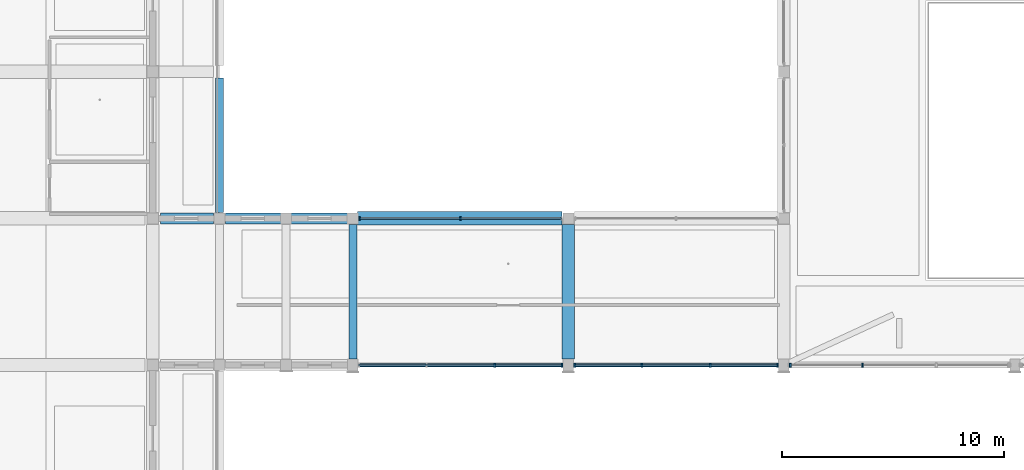
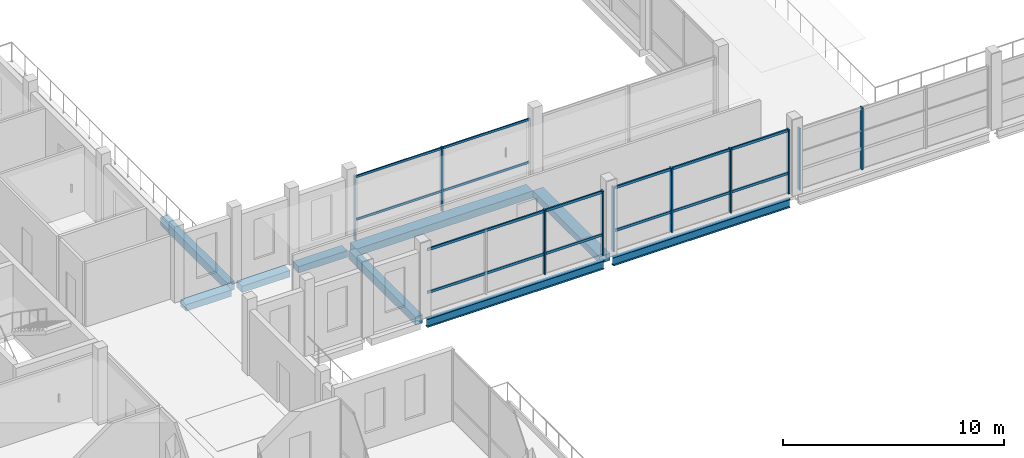
# One storey, part 13 of 85: 16 members, 9 beams, 4 elements without a shape of their own.
"""IFC4 building model written with IfcOpenShell, lengths in metres."""

from ifc_helpers import new_model, si_unit, derived_unit, direction, frame, origin, origin_2d, place, context, subcontext, project, spatial, rectangle, i_section, extrude, material, material_profile, profile_set, type_object, element, aggregate, save


model = new_model("IFC4")

# Units and contexts
model_context = context("Model", 3, precision=1e-05, world=origin(), true_north=direction((0.0, 1.0)))
body_context = subcontext(model_context, "Body", "Model", "MODEL_VIEW")
ifc_project = project(units=[si_unit("LENGTHUNIT", "METRE"), si_unit("AREAUNIT", "SQUARE_METRE"), si_unit("VOLUMEUNIT", "CUBIC_METRE"), si_unit("PLANEANGLEUNIT", "RADIAN"), si_unit("MASSUNIT", "GRAM", prefix="KILO"), derived_unit("THERMALTRANSMITTANCEUNIT", [(si_unit("POWERUNIT", "WATT"), 1), (si_unit("LENGTHUNIT", "METRE"), -2), (si_unit("THERMODYNAMICTEMPERATUREUNIT", "KELVIN"), -1)])], contexts=[model_context])

# Site, building, storey
site_placement = place(None, origin())
site = spatial("IfcSite", under=ifc_project, at=site_placement, CompositionType="ELEMENT")
building_placement = place(site_placement, origin())
building = spatial("IfcBuilding", under=site, at=building_placement, Name="Braskholm Square Health Centre", CompositionType="ELEMENT")
storey_placement = place(building_placement, frame((0.0, 0.0, 9.300048828125)))
storey = spatial("IfcBuildingStorey", under=building, at=storey_placement, Name="L03", CompositionType="ELEMENT", Elevation=9.300048828125)

# Curtain wall, members
ifc_material_1 = material(Name="Low-E triple insulating glass (VLT 0.64)", Category="glass")
curtain_wall_type = type_object("IfcCurtainWallType", Name="UnitisedCurtainWall6200x3650", PredefinedType="NOTDEFINED", material=ifc_material_1)
curtain_wall_1_placement = place(storey_placement, origin())
curtain_wall_1 = element("IfcCurtainWall", 1, at=curtain_wall_1_placement, inside=storey, type_object=curtain_wall_type, Name="Portal North L03 unitised curtain wall CW-L03-0176", PredefinedType="NOTDEFINED")
ifc_material_2 = material(Name="Architectural bronze anodised aluminium", Category="aluminium")
ifc_material_profile_1 = material_profile(ifc_material_2, rectangle(XDim=0.06494140625, YDim=0.14990234375, at=origin_2d()), Name="ALU-65X150")
ifc_profile_set_1 = profile_set([ifc_material_profile_1], Name="Architectural bronze anodised aluminium")
member_type_1 = type_object("IfcMemberType", Name="CurtainWallMullion65x150", PredefinedType="MULLION", material=ifc_profile_set_1)
member_1_placement = place(storey_placement, frame((33.050048828125, 93.800048828125, 0.0), z_axis=(0.0, 0.0, 1.0), x_axis=(1.0, 0.0, 0.0)))
member_1 = element("IfcMember", 2, at=member_1_placement, type_object=member_type_1, Name="CW-L03-0176 vertical mullion 2", PredefinedType="MULLION", context=body_context, shape_type="SweptSolid", body=[
    extrude(rectangle(XDim=0.06494140625, YDim=0.14990234375, at=origin_2d()), origin(), (0.0, 0.0, 1.0), 3.550048828125),
])
member_2_placement = place(storey_placement, frame((28.507080078125, 93.800048828125, 0.0), z_axis=(0.0, 0.0, 1.0), x_axis=(1.0, 0.0, 0.0)))
member_2 = element("IfcMember", 3, at=member_2_placement, type_object=member_type_1, Name="CW-L03-0176 vertical mullion 3", PredefinedType="MULLION", context=body_context, shape_type="SweptSolid", body=[
    extrude(rectangle(XDim=0.06494140625, YDim=0.14990234375, at=origin_2d()), origin(), (0.0, 0.0, 1.0), 3.550048828125),
])

curtain_wall_2_placement = place(storey_placement, origin())
curtain_wall_2 = element("IfcCurtainWall", 4, at=curtain_wall_2_placement, inside=storey, type_object=curtain_wall_type, Name="Hall Clerestory L03 unitised curtain wall CW-L03-0173", PredefinedType="NOTDEFINED")
ifc_material_profile_2 = material_profile(ifc_material_2, rectangle(XDim=0.074951171875, YDim=0.179931640625, at=origin_2d()), Name="ALU-75X180")
ifc_profile_set_2 = profile_set([ifc_material_profile_2], Name="Architectural bronze anodised aluminium")
member_type_2 = type_object("IfcMemberType", Name="CurtainWallMullion75x180", PredefinedType="MULLION", material=ifc_profile_set_2)
member_3_placement = place(storey_placement, frame((34.58935546875, 87.199951171875, 0.0), z_axis=(0.0, 0.0, 1.0), x_axis=(1.0, 0.0, 0.0)))
member_3 = element("IfcMember", 5, at=member_3_placement, type_object=member_type_2, Name="CW-L03-0173 vertical mullion 3", PredefinedType="MULLION", context=body_context, shape_type="SweptSolid", body=[
    extrude(rectangle(XDim=0.074951171875, YDim=0.179931640625, at=origin_2d()), origin(), (0.0, 0.0, 1.0), 3.550048828125),
])
member_4_placement = place(storey_placement, frame((37.612548828125, 87.199951171875, 0.0), z_axis=(0.0, 0.0, 1.0), x_axis=(1.0, 0.0, 0.0)))
member_4 = element("IfcMember", 6, at=member_4_placement, type_object=member_type_2, Name="CW-L03-0173 vertical mullion 4", PredefinedType="MULLION", context=body_context, shape_type="SweptSolid", body=[
    extrude(rectangle(XDim=0.074951171875, YDim=0.179931640625, at=origin_2d()), origin(), (0.0, 0.0, 1.0), 3.550048828125),
])

curtain_wall_3_placement = place(storey_placement, origin())
curtain_wall_3 = element("IfcCurtainWall", 7, at=curtain_wall_3_placement, inside=storey, type_object=curtain_wall_type, Name="Hall Clerestory L03 unitised curtain wall CW-L03-0179", PredefinedType="NOTDEFINED")
member_5_placement = place(storey_placement, frame((38.1875, 87.199951171875, 0.0), z_axis=(0.0, 0.0, 1.0), x_axis=(1.0, 0.0, 0.0)))
member_5 = element("IfcMember", 8, at=member_5_placement, type_object=member_type_2, Name="CW-L03-0179 vertical mullion 1", PredefinedType="MULLION", context=body_context, shape_type="SweptSolid", body=[
    extrude(rectangle(XDim=0.074951171875, YDim=0.179931640625, at=origin_2d()), origin(), (0.0, 0.0, 1.0), 3.550048828125),
])
member_6_placement = place(storey_placement, frame((41.210693359375, 87.199951171875, 0.0), z_axis=(0.0, 0.0, 1.0), x_axis=(1.0, 0.0, 0.0)))
member_6 = element("IfcMember", 9, at=member_6_placement, type_object=member_type_2, Name="CW-L03-0179 vertical mullion 2", PredefinedType="MULLION", context=body_context, shape_type="SweptSolid", body=[
    extrude(rectangle(XDim=0.074951171875, YDim=0.179931640625, at=origin_2d()), origin(), (0.0, 0.0, 1.0), 3.550048828125),
])
member_7_placement = place(storey_placement, frame((44.289306640625, 87.199951171875, 0.0), z_axis=(0.0, 0.0, 1.0), x_axis=(1.0, 0.0, 0.0)))
member_7 = element("IfcMember", 10, at=member_7_placement, type_object=member_type_2, Name="CW-L03-0179 vertical mullion 3", PredefinedType="MULLION", context=body_context, shape_type="SweptSolid", body=[
    extrude(rectangle(XDim=0.074951171875, YDim=0.179931640625, at=origin_2d()), origin(), (0.0, 0.0, 1.0), 3.550048828125),
])
member_8_placement = place(storey_placement, frame((47.3125, 87.199951171875, 0.0), z_axis=(0.0, 0.0, 1.0), x_axis=(1.0, 0.0, 0.0)))
member_8 = element("IfcMember", 11, at=member_8_placement, type_object=member_type_2, Name="CW-L03-0179 vertical mullion 4", PredefinedType="MULLION", context=body_context, shape_type="SweptSolid", body=[
    extrude(rectangle(XDim=0.074951171875, YDim=0.179931640625, at=origin_2d()), origin(), (0.0, 0.0, 1.0), 3.550048828125),
])

curtain_wall_4_placement = place(storey_placement, origin())
curtain_wall_4 = element("IfcCurtainWall", 12, at=curtain_wall_4_placement, inside=storey, type_object=curtain_wall_type, Name="Hall Clerestory L03 unitised curtain wall CW-L03-0185", PredefinedType="NOTDEFINED")
member_9_placement = place(storey_placement, frame((47.8916015625, 87.199951171875, 0.0), z_axis=(0.0, 0.0, 1.0), x_axis=(1.0, 0.0, 0.0)))
member_9 = element("IfcMember", 13, at=member_9_placement, type_object=member_type_2, Name="CW-L03-0185 vertical mullion 1", PredefinedType="MULLION", context=body_context, shape_type="SweptSolid", body=[
    extrude(rectangle(XDim=0.074951171875, YDim=0.179931640625, at=origin_2d()), origin(), (0.0, 0.0, 1.0), 3.406005859375),
])
member_10_placement = place(storey_placement, frame((51.14404296875, 87.199951171875, 0.0), z_axis=(0.0, 0.0, 1.0), x_axis=(1.0, 0.0, 0.0)))
member_10 = element("IfcMember", 14, at=member_10_placement, type_object=member_type_2, Name="CW-L03-0185 vertical mullion 2", PredefinedType="MULLION", context=body_context, shape_type="SweptSolid", body=[
    extrude(rectangle(XDim=0.074951171875, YDim=0.179931640625, at=origin_2d()), origin(), (0.0, 0.0, 1.0), 3.406005859375),
])
aggregate(curtain_wall_4, [member_9, member_10])

# Member
ifc_material_profile_3 = material_profile(ifc_material_2, rectangle(XDim=0.06494140625, YDim=0.1201171875, at=origin_2d()), Name="ALU-65X120")
ifc_profile_set_3 = profile_set([ifc_material_profile_3], Name="Architectural bronze anodised aluminium")
member_type_3 = type_object("IfcMemberType", Name="CurtainWallTransom65x120", PredefinedType="USERDEFINED", material=ifc_profile_set_3)
member_11_placement = place(storey_placement, frame((37.60302734375, 93.800048828125, 1.119873046875), z_axis=(-1.0, 0.0, 0.0), x_axis=(0.0, -1.0, 0.0)))
member_11 = element("IfcMember", 15, at=member_11_placement, type_object=member_type_3, Name="CW-L03-0176 horizontal transom 1", ObjectType="TRANSOM", PredefinedType="USERDEFINED", context=body_context, shape_type="SweptSolid", body=[
    extrude(rectangle(XDim=0.06494140625, YDim=0.1201171875, at=origin_2d()), origin(), (0.0, 0.0, 1.0), 9.10595703125),
])

member_12_placement = place(storey_placement, frame((37.60302734375, 93.800048828125, 3.47998046875), z_axis=(-1.0, 0.0, 0.0), x_axis=(0.0, -1.0, 0.0)))
member_12 = element("IfcMember", 16, at=member_12_placement, type_object=member_type_3, Name="CW-L03-0176 horizontal transom 2", ObjectType="TRANSOM", PredefinedType="USERDEFINED", context=body_context, shape_type="SweptSolid", body=[
    extrude(rectangle(XDim=0.06494140625, YDim=0.1201171875, at=origin_2d()), origin(), (0.0, 0.0, 1.0), 9.10595703125),
])

aggregate(curtain_wall_1, [member_1, member_2, member_11, member_12])

ifc_material_profile_4 = material_profile(ifc_material_2, rectangle(XDim=0.074951171875, YDim=0.139892578125, at=origin_2d()), Name="ALU-75X140")
ifc_profile_set_4 = profile_set([ifc_material_profile_4], Name="Architectural bronze anodised aluminium")
member_type_4 = type_object("IfcMemberType", Name="CurtainWallTransom75x140", PredefinedType="USERDEFINED", material=ifc_profile_set_4)
member_13_placement = place(storey_placement, frame((28.47705078125, 87.199951171875, 1.119873046875), z_axis=(1.0, 0.0, 0.0), x_axis=(0.0, 1.0, 0.0)))
member_13 = element("IfcMember", 17, at=member_13_placement, type_object=member_type_4, Name="CW-L03-0173 horizontal transom 1", ObjectType="TRANSOM", PredefinedType="USERDEFINED", context=body_context, shape_type="SweptSolid", body=[
    extrude(rectangle(XDim=0.074951171875, YDim=0.139892578125, at=origin_2d()), origin(), (0.0, 0.0, 1.0), 9.14599609375),
])

member_14_placement = place(storey_placement, frame((28.47705078125, 87.199951171875, 3.47998046875), z_axis=(1.0, 0.0, 0.0), x_axis=(0.0, 1.0, 0.0)))
member_14 = element("IfcMember", 18, at=member_14_placement, type_object=member_type_4, Name="CW-L03-0173 horizontal transom 2", ObjectType="TRANSOM", PredefinedType="USERDEFINED", context=body_context, shape_type="SweptSolid", body=[
    extrude(rectangle(XDim=0.074951171875, YDim=0.139892578125, at=origin_2d()), origin(), (0.0, 0.0, 1.0), 9.14599609375),
])

aggregate(curtain_wall_2, [member_3, member_4, member_13, member_14])

member_15_placement = place(storey_placement, frame((38.177001953125, 87.199951171875, 1.119873046875), z_axis=(1.0, 0.0, 0.0), x_axis=(0.0, 1.0, 0.0)))
member_15 = element("IfcMember", 19, at=member_15_placement, type_object=member_type_4, Name="CW-L03-0179 horizontal transom 1", ObjectType="TRANSOM", PredefinedType="USERDEFINED", context=body_context, shape_type="SweptSolid", body=[
    extrude(rectangle(XDim=0.074951171875, YDim=0.139892578125, at=origin_2d()), origin(), (0.0, 0.0, 1.0), 9.14599609375),
])

member_16_placement = place(storey_placement, frame((38.177001953125, 87.199951171875, 3.47998046875), z_axis=(1.0, 0.0, 0.0), x_axis=(0.0, 1.0, 0.0)))
member_16 = element("IfcMember", 20, at=member_16_placement, type_object=member_type_4, Name="CW-L03-0179 horizontal transom 2", ObjectType="TRANSOM", PredefinedType="USERDEFINED", context=body_context, shape_type="SweptSolid", body=[
    extrude(rectangle(XDim=0.074951171875, YDim=0.139892578125, at=origin_2d()), origin(), (0.0, 0.0, 1.0), 9.14599609375),
])

aggregate(curtain_wall_3, [member_5, member_6, member_7, member_8, member_15, member_16])

# Beams
ifc_material_3 = material(Name="Concrete C35/45 (f'c = 35 MPa)", Category="concrete")
ifc_material_profile_5 = material_profile(ifc_material_3, rectangle(XDim=0.5, YDim=0.360107421875, at=origin_2d()), Name="RCB-500X360")
ifc_profile_set_5 = profile_set([ifc_material_profile_5], Name="Concrete C35/45 (f'c = 35 MPa)")
beam_type_1 = type_object("IfcBeamType", Name="PrimaryBandBeam500x360", PredefinedType="BEAM", material=ifc_profile_set_5)
beam_1_placement = place(storey_placement, frame((19.550048828125, 93.800048828125, -0.47998046875), z_axis=(1.0, 0.0, 0.0), x_axis=(0.0, 1.0, 0.0)))
element("IfcBeam", 21, at=beam_1_placement, inside=storey, type_object=beam_type_1, Name="Beam 3-4/P L03", PredefinedType="BEAM", context=body_context, shape_type="SweptSolid", body=[
    extrude(rectangle(XDim=0.5, YDim=0.360107421875, at=origin_2d()), origin(), (0.0, 0.0, 1.0), 2.375),
])
beam_2_placement = place(storey_placement, frame((22.47509765625, 93.800048828125, -0.47998046875), z_axis=(1.0, 0.0, 0.0), x_axis=(0.0, 1.0, 0.0)))
element("IfcBeam", 22, at=beam_2_placement, inside=storey, type_object=beam_type_1, Name="Beam 4-5/P L03", PredefinedType="BEAM", context=body_context, shape_type="SweptSolid", body=[
    extrude(rectangle(XDim=0.5, YDim=0.360107421875, at=origin_2d()), origin(), (0.0, 0.0, 1.0), 2.5048828125),
])
beam_3_placement = place(storey_placement, frame((25.419921875, 93.800048828125, -0.429931640625), z_axis=(1.0, 0.0, 0.0), x_axis=(0.0, 1.0, 0.0)))
element("IfcBeam", 23, at=beam_3_placement, inside=storey, type_object=beam_type_1, Name="Beam 5-6/P L03", PredefinedType="BEAM", context=body_context, shape_type="SweptSolid", body=[
    extrude(rectangle(XDim=0.5, YDim=0.360107421875, at=origin_2d()), origin(), (0.0, 0.0, 1.0), 2.56005859375),
])
ifc_material_profile_6 = material_profile(ifc_material_3, rectangle(XDim=0.550048828125, YDim=0.3798828125, at=origin_2d()), Name="RCB-550X380")
ifc_profile_set_6 = profile_set([ifc_material_profile_6], Name="Concrete C35/45 (f'c = 35 MPa)")
beam_type_2 = type_object("IfcBeamType", Name="PrimaryBandBeam550x380", PredefinedType="BEAM", material=ifc_profile_set_6)
beam_4_placement = place(storey_placement, frame((37.89990234375, 87.47998046875, -0.489990234375), z_axis=(0.0, 1.0, 0.0), x_axis=(-1.0, 0.0, 0.0)))
element("IfcBeam", 24, at=beam_4_placement, inside=storey, type_object=beam_type_2, Name="Beam 7/N-P L03", PredefinedType="BEAM", context=body_context, shape_type="SweptSolid", body=[
    extrude(rectangle(XDim=0.550048828125, YDim=0.3798828125, at=origin_2d()), origin(), (0.0, 0.0, 1.0), 6.044921875),
])
ifc_material_profile_7 = material_profile(ifc_material_3, rectangle(XDim=0.60009765625, YDim=0.39990234375, at=origin_2d()), Name="RCB-600X400")
ifc_profile_set_7 = profile_set([ifc_material_profile_7], Name="Concrete C35/45 (f'c = 35 MPa)")
beam_type_3 = type_object("IfcBeamType", Name="PrimaryBandBeam600x400", PredefinedType="BEAM", material=ifc_profile_set_7)
beam_5_placement = place(storey_placement, frame((28.419921875, 93.800048828125, -0.5), z_axis=(1.0, 0.0, 0.0), x_axis=(0.0, 1.0, 0.0)))
element("IfcBeam", 25, at=beam_5_placement, inside=storey, type_object=beam_type_3, Name="Beam 6-7/P L03", PredefinedType="BEAM", context=body_context, shape_type="SweptSolid", body=[
    extrude(rectangle(XDim=0.60009765625, YDim=0.39990234375, at=origin_2d()), origin(), (0.0, 0.0, 1.0), 9.205078125),
])
ifc_material_4 = material(Name="Precast concrete C40/50 architectural white", Category="concrete")
ifc_material_profile_8 = material_profile(ifc_material_4, rectangle(XDim=0.360107421875, YDim=0.4599609375, at=origin_2d()), Name="RCB-360X460")
ifc_profile_set_8 = profile_set([ifc_material_profile_8], Name="Precast concrete C40/50 architectural white")
beam_type_4 = type_object("IfcBeamType", Name="SpandrelTerraceEdge360x460", PredefinedType="SPANDREL", material=ifc_profile_set_8)
for number, where, z_axis, x_axis, name in (
    (26, (22.199951171875, 94.074951171875, -0.530029296875), (0.0, 1.0, 0.0), (-1.0, 0.0, 0.0), "Beam 4/P-Q L03"),
    (27, (28.199951171875, 87.47998046875, -0.47998046875), (0.0, 1.0, 0.0), (-1.0, 0.0, 0.0), "Beam 6/N-P L03"),
):
    element("IfcBeam", number, at=place(storey_placement, frame(where, z_axis=z_axis, x_axis=x_axis)), inside=storey, type_object=beam_type_4, Name=name, PredefinedType="SPANDREL", context=body_context, shape_type="SweptSolid", body=[
        extrude(rectangle(XDim=0.360107421875, YDim=0.4599609375, at=origin_2d()), origin(), (0.0, 0.0, 1.0), 6.050048828125),
    ])
ifc_material_5 = material(Name="Steel ASTM A992 Grade 50", Category="steel")
ifc_material_profile_9 = material_profile(ifc_material_5, i_section(OverallWidth=0.19091796875, OverallDepth=0.4599609375, WebThickness=0.010009765625, FlangeThickness=0.01611328125, at=origin_2d()), Name="W18X55")
ifc_profile_set_9 = profile_set([ifc_material_profile_9], Name="Steel ASTM A992 Grade 50")
beam_type_5 = type_object("IfcBeamType", Name="SteelGirderLinkW18X55", PredefinedType="BEAM", material=ifc_profile_set_9)
beam_6_placement = place(storey_placement, frame((28.429931640625, 87.199951171875, -0.530029296875), z_axis=(1.0, 0.0, 0.0), x_axis=(0.0, 1.0, 0.0)))
element("IfcBeam", 28, at=beam_6_placement, inside=storey, type_object=beam_type_5, Name="Beam 6-7/N L03", PredefinedType="BEAM", context=body_context, shape_type="SweptSolid", body=[
    extrude(i_section(OverallWidth=0.19091796875, OverallDepth=0.4599609375, WebThickness=0.010009765625, FlangeThickness=0.01611328125, at=origin_2d()), origin(), (0.0, 0.0, 1.0), 9.239990234375),
])
beam_7_placement = place(storey_placement, frame((38.1298828125, 87.199951171875, -0.530029296875), z_axis=(1.0, 0.0, 0.0), x_axis=(0.0, 1.0, 0.0)))
element("IfcBeam", 29, at=beam_7_placement, inside=storey, type_object=beam_type_5, Name="Beam 7-8/N L03", PredefinedType="BEAM", context=body_context, shape_type="SweptSolid", body=[
    extrude(i_section(OverallWidth=0.19091796875, OverallDepth=0.4599609375, WebThickness=0.010009765625, FlangeThickness=0.01611328125, at=origin_2d()), origin(), (0.0, 0.0, 1.0), 9.240234375),
])

save(model, "model.ifc")
